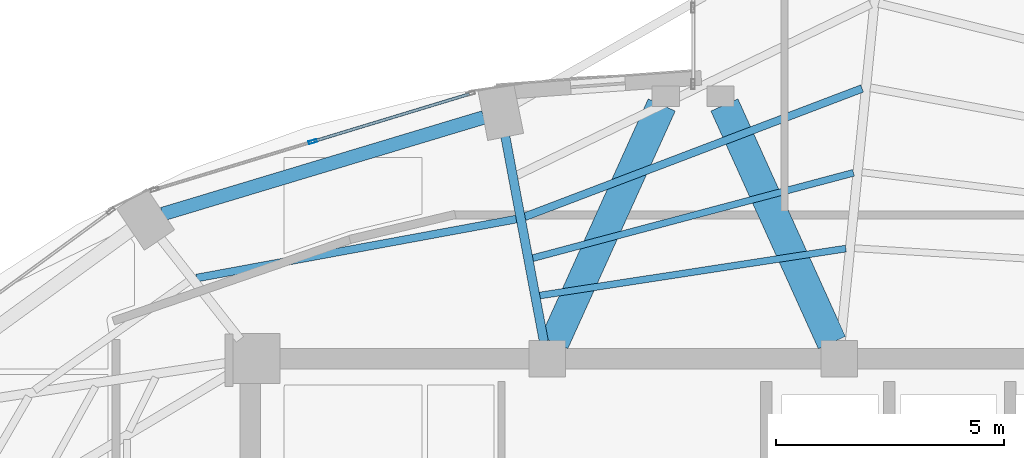
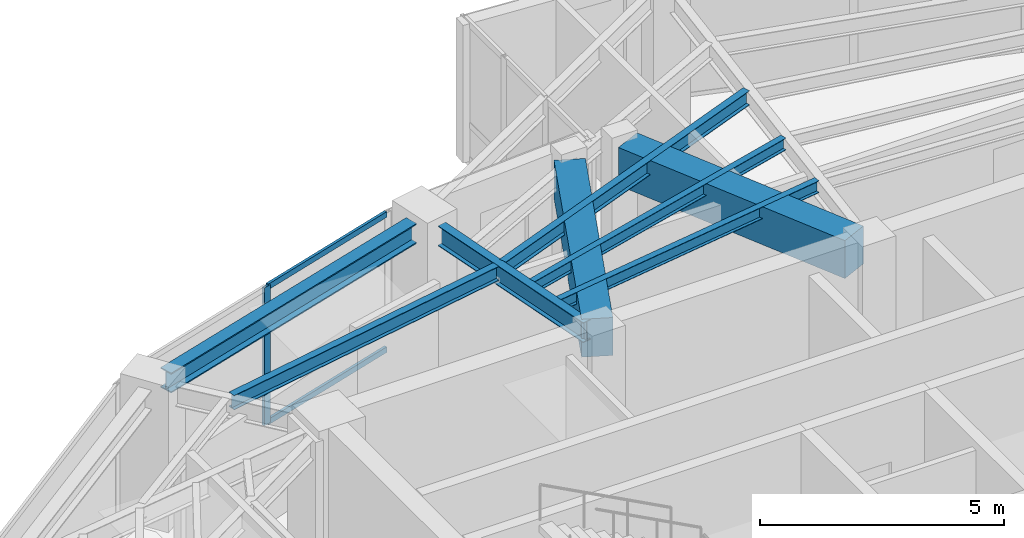
# One storey, part 11 of 22: 8 beams, 3 members, 1 element without a shape of its own.
"""IFC4 building model written with IfcOpenShell, lengths in metres."""

from ifc_helpers import new_model, si_unit, direction, frame, origin, origin_2d, place, context, subcontext, project, spatial, rectangle, hollow_rectangle, i_section, extrude, material, layer, layer_set, material_profile, profile_set, type_object, element, aggregate, save


model = new_model("IFC4")

# Units and contexts
model_context = context("Model", 3, precision=1e-05, world=origin(), true_north=direction((0.0, 1.0)))
body_context = subcontext(model_context, "Body", "Model", "MODEL_VIEW")
ifc_project = project(units=[si_unit("LENGTHUNIT", "METRE"), si_unit("AREAUNIT", "SQUARE_METRE"), si_unit("VOLUMEUNIT", "CUBIC_METRE"), si_unit("PLANEANGLEUNIT", "RADIAN"), si_unit("MASSUNIT", "GRAM", prefix="KILO")], contexts=[model_context])

# Site, building, storey
site_placement = place(None, origin())
site = spatial("IfcSite", under=ifc_project, at=site_placement, CompositionType="ELEMENT")
building_placement = place(site_placement, origin())
building = spatial("IfcBuilding", under=site, at=building_placement, Name="Lazwardi Medical Tower", CompositionType="ELEMENT")
storey_placement = place(building_placement, frame((0.0, 0.0, 255.02392578125)))
storey = spatial("IfcBuildingStorey", under=building, at=storey_placement, Name="L66", CompositionType="ELEMENT", Elevation=255.02392578125)

# Beams
ifc_material_1 = material(Name="Concrete C60/75", Category="concrete")
ifc_material_profile_1 = material_profile(ifc_material_1, rectangle(XDim=0.64990234375, YDim=0.949951171875, at=origin_2d()), Name="RC 650x950")
ifc_profile_set_1 = profile_set([ifc_material_profile_1], Name="Concrete C60/75")
beam_type_1 = type_object("IfcBeamType", Name="BM-CB-RC2", PredefinedType="LINTEL", material=ifc_profile_set_1)
for number, where, z_axis, x_axis, name in (
    (1, (32.95849609375, 35.95068359375, 2.97314453125), (0.412019279944, 0.911175127489, 0.0), (-0.911175127489, 0.412019279944, 0.0), "Core coupling lintel CB-02 PL1 L66"),
    (2, (39.04150390625, 35.95068359375, 2.97314453125), (-0.412019279944, 0.911175127489, 0.0), (-0.911175127489, -0.412019279944, 0.0), "Core coupling lintel CB-02 PL2 L66"),
):
    element("IfcBeam", number, at=place(storey_placement, frame(where, z_axis=z_axis, x_axis=x_axis)), inside=storey, type_object=beam_type_1, Name=name, PredefinedType="LINTEL", context=body_context, shape_type="SweptSolid", body=[
        extrude(rectangle(XDim=0.64990234375, YDim=0.949951171875, at=origin_2d()), origin(), (0.0, 0.0, 1.0), 5.7158203125),
    ])
ifc_material_2 = material(Name="Steel S355", Category="steel")
ifc_material_profile_2 = material_profile(ifc_material_2, i_section(OverallWidth=0.300048828125, OverallDepth=0.5, WebThickness=0.014404296875, FlangeThickness=0.028076171875, at=origin_2d()), Name="HEB 500")
ifc_profile_set_2 = profile_set([ifc_material_profile_2], Name="Steel S355")
beam_type_2 = type_object("IfcBeamType", Name="BM-RB-Z4", PredefinedType="BEAM", material=ifc_profile_set_2)
beam_1_placement = place(storey_placement, frame((31.41259765625, 40.885986328125, 3.197998046875), z_axis=(-0.957544311906, -0.288286126506, 0.0), x_axis=(0.288286126506, -0.957544311906, 0.0)))
element("IfcBeam", 3, at=beam_1_placement, inside=storey, type_object=beam_type_2, Name="Ring beam RB-05 B09 L66", PredefinedType="BEAM", context=body_context, shape_type="SweptSolid", body=[
    extrude(i_section(OverallWidth=0.300048828125, OverallDepth=0.5, WebThickness=0.014404296875, FlangeThickness=0.028076171875, at=origin_2d()), origin(), (0.0, 0.0, 1.0), 7.3515625),
])
ifc_material_profile_3 = material_profile(ifc_material_2, i_section(OverallWidth=0.199951171875, OverallDepth=0.5, WebThickness=0.01025390625, FlangeThickness=0.01611328125, at=origin_2d()), Name="IPE 500")
ifc_profile_set_3 = profile_set([ifc_material_profile_3], Name="Steel S355")
beam_type_3 = type_object("IfcBeamType", Name="BM-RG-W3", PredefinedType="BEAM", material=ifc_profile_set_3)
beam_2_placement = place(storey_placement, frame((31.884765625, 40.472412109375, 3.197998046875), z_axis=(0.184633463507, -0.982807450192, 0.0), x_axis=(0.982807450192, 0.184633463507, 0.0)))
element("IfcBeam", 4, at=beam_2_placement, inside=storey, type_object=beam_type_3, Name="Radial girder RG-04 R09 L66", PredefinedType="BEAM", context=body_context, shape_type="SweptSolid", body=[
    extrude(i_section(OverallWidth=0.199951171875, OverallDepth=0.5, WebThickness=0.01025390625, FlangeThickness=0.01611328125, at=origin_2d()), origin(), (0.0, 0.0, 1.0), 4.572509765625),
])
ifc_material_profile_4 = material_profile(ifc_material_2, i_section(OverallWidth=0.169921875, OverallDepth=0.360107421875, WebThickness=0.008056640625, FlangeThickness=0.0126953125, at=origin_2d()), Name="IPE 360")
ifc_profile_set_4 = profile_set([ifc_material_profile_4], Name="Steel S355")
beam_type_4 = type_object("IfcBeamType", Name="BM-SJ-02", PredefinedType="JOIST", material=ifc_profile_set_4)
beam_3_placement = place(storey_placement, frame((39.703125, 41.51904296875, 3.26806640625), z_axis=(-0.934714470268, -0.355399576633, 0.0), x_axis=(0.355399576633, -0.934714470268, 0.0)))
element("IfcBeam", 5, at=beam_3_placement, inside=storey, type_object=beam_type_4, Name="Secondary joist SJ-02 R2 B08 L66", PredefinedType="JOIST", context=body_context, shape_type="SweptSolid", body=[
    extrude(i_section(OverallWidth=0.169921875, OverallDepth=0.360107421875, WebThickness=0.008056640625, FlangeThickness=0.0126953125, at=origin_2d()), origin(), (0.0, 0.0, 1.0), 7.908203125),
])
beam_4_placement = place(storey_placement, frame((32.12890625, 38.65771484375, 3.26806640625), z_axis=(-0.983427965623, -0.181299300688, 0.0), x_axis=(0.181299300688, -0.983427965623, 0.0)))
element("IfcBeam", 6, at=beam_4_placement, inside=storey, type_object=beam_type_4, Name="Secondary joist SJ-02 R2 B09 L66", PredefinedType="JOIST", context=body_context, shape_type="SweptSolid", body=[
    extrude(i_section(OverallWidth=0.169921875, OverallDepth=0.360107421875, WebThickness=0.008056640625, FlangeThickness=0.0126953125, at=origin_2d()), origin(), (0.0, 0.0, 1.0), 7.127685546875),
])
ifc_material_profile_5 = material_profile(ifc_material_2, i_section(OverallWidth=0.14990234375, OverallDepth=0.300048828125, WebThickness=0.007080078125, FlangeThickness=0.0107421875, at=origin_2d()), Name="IPE 300")
ifc_profile_set_5 = profile_set([ifc_material_profile_5], Name="Steel S355")
beam_type_5 = type_object("IfcBeamType", Name="BM-SJ-03", PredefinedType="JOIST", material=ifc_profile_set_5)
beam_5_placement = place(storey_placement, frame((39.515380859375, 39.671875, 3.298095703125), z_axis=(-0.966369007826, -0.257159368316, 0.0), x_axis=(0.257159368316, -0.966369007826, 0.0)))
element("IfcBeam", 7, at=beam_5_placement, inside=storey, type_object=beam_type_5, Name="Secondary joist SJ-03 R3 B08 L66", PredefinedType="JOIST", context=body_context, shape_type="SweptSolid", body=[
    extrude(i_section(OverallWidth=0.14990234375, OverallDepth=0.300048828125, WebThickness=0.007080078125, FlangeThickness=0.0107421875, at=origin_2d()), origin(), (0.0, 0.0, 1.0), 7.27685546875),
])
beam_6_placement = place(storey_placement, frame((39.347412109375, 38.010986328125, 3.298095703125), z_axis=(-0.988433562862, -0.151654514629, 0.0), x_axis=(0.151654514629, -0.988433562862, 0.0)))
element("IfcBeam", 8, at=beam_6_placement, inside=storey, type_object=beam_type_5, Name="Secondary joist SJ-03 R4 B08 L66", PredefinedType="JOIST", context=body_context, shape_type="SweptSolid", body=[
    extrude(i_section(OverallWidth=0.14990234375, OverallDepth=0.300048828125, WebThickness=0.007080078125, FlangeThickness=0.0107421875, at=origin_2d()), origin(), (0.0, 0.0, 1.0), 6.788818359375),
])

# Curtain wall, members
ifc_material_3 = material(Name="Anodised bronze aluminium and solar control glazing", Category="aluminium")
ifc_layer = layer(ifc_material_3, 0.18994140625)
ifc_layer_set = layer_set([ifc_layer], Name="Anodised bronze aluminium and solar control glazing")
curtain_wall_type = type_object("IfcCurtainWallType", Name="CW-SYS-04", PredefinedType="NOTDEFINED", material=ifc_layer_set)
curtain_wall_placement = place(storey_placement, origin())
curtain_wall = element("IfcCurtainWall", 9, at=curtain_wall_placement, inside=storey, type_object=curtain_wall_type, Name="L66 Unitised bronze curtain wall CW-04", PredefinedType="NOTDEFINED")
ifc_material_4 = material(Name="Anodised bronze aluminium", Category="aluminium")
ifc_material_profile_6 = material_profile(ifc_material_4, hollow_rectangle(XDim=0.06494140625, YDim=0.179931640625, WallThickness=0.00390625, at=origin_2d()), Name="ALU-MULLION 180x65x4")
ifc_profile_set_6 = profile_set([ifc_material_profile_6], Name="Anodised bronze aluminium")
member_type_1 = type_object("IfcMemberType", Name="CW-MUL-03", PredefinedType="MULLION", material=ifc_profile_set_6)
member_1_placement = place(storey_placement, frame((27.66357421875, 40.355224609375, 0.0), z_axis=(0.0, 0.0, 1.0), x_axis=(0.290581889515, -0.956850126972, 0.0)))
member_1 = element("IfcMember", 10, at=member_1_placement, type_object=member_type_1, Name="CW-04 mullion 2", PredefinedType="MULLION", context=body_context, shape_type="SweptSolid", body=[
    extrude(hollow_rectangle(XDim=0.06494140625, YDim=0.179931640625, WallThickness=0.00390625, at=origin_2d()), origin(), (0.0, 0.0, 1.0), 3.447998046875),
])
ifc_material_profile_7 = material_profile(ifc_material_4, hollow_rectangle(XDim=0.06494140625, YDim=0.139892578125, WallThickness=0.00341796875, at=origin_2d()), Name="ALU-TRANSOM 140x65x3.5")
ifc_profile_set_7 = profile_set([ifc_material_profile_7], Name="Anodised bronze aluminium")
member_type_2 = type_object("IfcMemberType", Name="CW-TRN-03", PredefinedType="USERDEFINED", material=ifc_profile_set_7)
member_2_placement = place(storey_placement, frame((31.095703125, 41.397705078125, 0.032470703125), z_axis=(-0.956843409009, -0.290604010015, 0.0), x_axis=(0.290604010015, -0.956843409009, 0.0)))
member_2 = element("IfcMember", 11, at=member_2_placement, type_object=member_type_2, Name="CW-04 transom 1.1", ObjectType="TRANSOM", PredefinedType="USERDEFINED", context=body_context, shape_type="SweptSolid", body=[
    extrude(hollow_rectangle(XDim=0.06494140625, YDim=0.139892578125, WallThickness=0.00341796875, at=origin_2d()), origin(), (0.0, 0.0, 1.0), 3.554443359375),
])
member_3_placement = place(storey_placement, frame((31.095703125, 41.397705078125, 3.41552734375), z_axis=(-0.956843409009, -0.290604010015, 0.0), x_axis=(0.290604010015, -0.956843409009, 0.0)))
member_3 = element("IfcMember", 12, at=member_3_placement, type_object=member_type_2, Name="CW-04 transom 1.2", ObjectType="TRANSOM", PredefinedType="USERDEFINED", context=body_context, shape_type="SweptSolid", body=[
    extrude(hollow_rectangle(XDim=0.06494140625, YDim=0.139892578125, WallThickness=0.00341796875, at=origin_2d()), origin(), (0.0, 0.0, 1.0), 3.554443359375),
])
aggregate(curtain_wall, [member_1, member_2, member_3])

save(model, "model.ifc")
